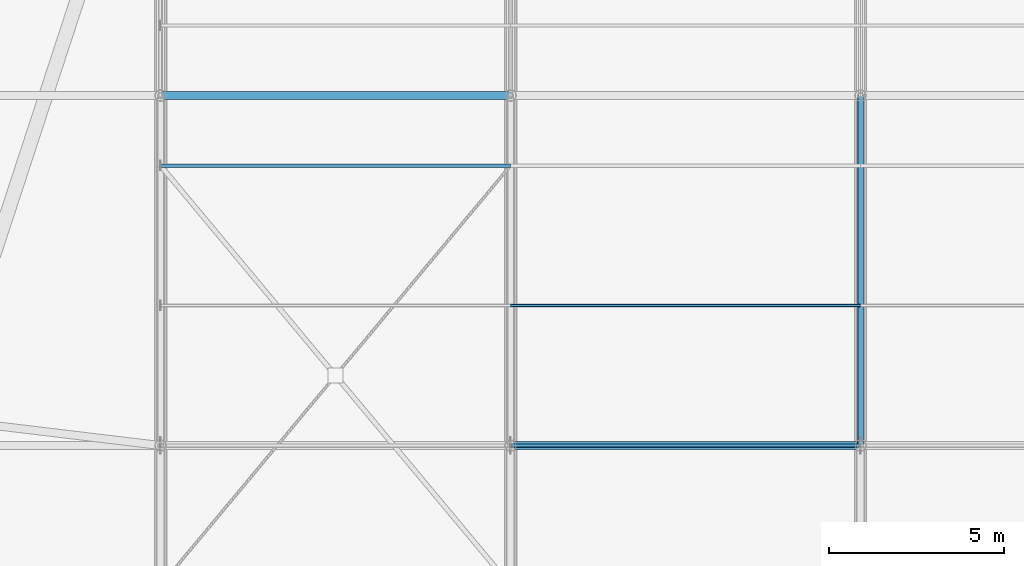
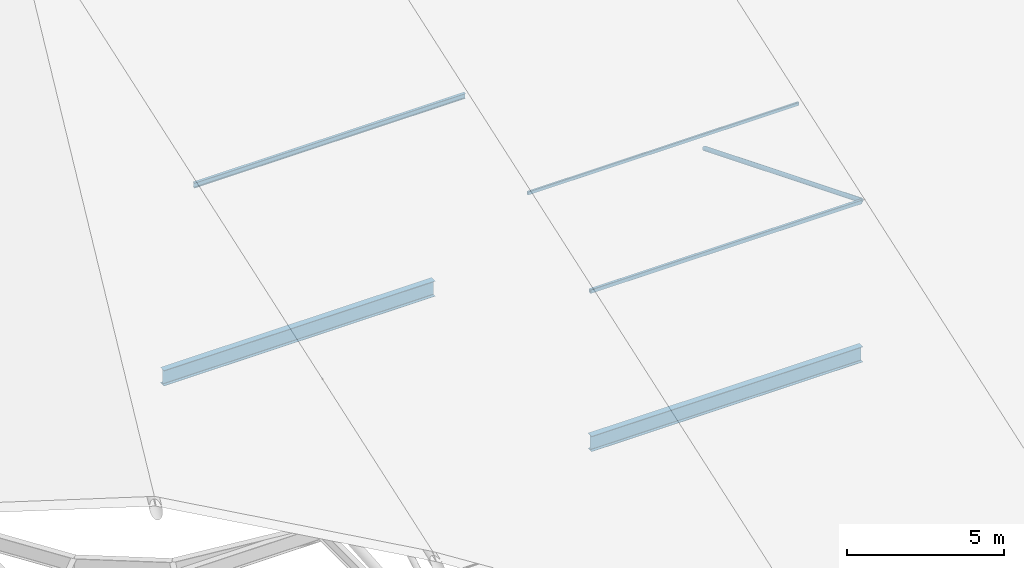
# One storey, part 14 of 93: 4 members, 2 beams.
"""IFC4 building model written with IfcOpenShell, lengths in metres."""

from ifc_helpers import new_model, si_unit, derived_unit, direction, frame, origin, origin_2d_with_axis, place, context, subcontext, project, spatial, hollow_rectangle, hollow_circle, i_section, extrude, material, material_profile, profile_set, type_object, element, save


model = new_model("IFC4")

# Units and contexts
model_context = context("Model", 3, precision=1e-05, world=origin(), true_north=direction((0.0, 1.0)))
body_context = subcontext(model_context, "Body", "Model", "MODEL_VIEW")
ifc_project = project(units=[si_unit("LENGTHUNIT", "METRE"), si_unit("AREAUNIT", "SQUARE_METRE"), si_unit("VOLUMEUNIT", "CUBIC_METRE"), si_unit("PLANEANGLEUNIT", "RADIAN"), si_unit("MASSUNIT", "GRAM", prefix="KILO"), derived_unit("THERMALTRANSMITTANCEUNIT", [(si_unit("POWERUNIT", "WATT"), 1), (si_unit("LENGTHUNIT", "METRE"), -2), (si_unit("THERMODYNAMICTEMPERATUREUNIT", "KELVIN"), -1)])], contexts=[model_context])

# Site, building, storey
site_placement = place(None, origin())
site = spatial("IfcSite", under=ifc_project, at=site_placement, CompositionType="ELEMENT")
building_placement = place(site_placement, origin())
building = spatial("IfcBuilding", under=site, at=building_placement, Name="Cinnabar Yard Market Hall", CompositionType="ELEMENT")
storey_placement = place(building_placement, frame((0.0, 0.0, 23.800048828125)))
storey = spatial("IfcBuildingStorey", under=building, at=storey_placement, Name="ROOF", CompositionType="ELEMENT", Elevation=23.800048828125)

# Beams
ifc_material_1 = material(Name="Steel Grade 300 (300 MPa)", Category="steel")
ifc_material_profile_1 = material_profile(ifc_material_1, i_section(OverallWidth=0.22802734375, OverallDepth=0.60205078125, WebThickness=0.010498046875, FlangeThickness=0.014892578125, FilletRadius=0.013916015625, at=origin_2d_with_axis()), Name="610UB101")
ifc_profile_set_1 = profile_set([ifc_material_profile_1], Name="Steel Grade 300 (300 MPa)")
beam_type = type_object("IfcBeamType", Name="BM-B02", PredefinedType="BEAM", material=ifc_profile_set_1)
for number, where, z_axis, x_axis, name in (
    (1, (96.0, 24.0, -9.700927734375), (1.0, 0.0, 0.0), (0.0, 1.0, 0.0), "Hall Longitudinal Tie Girder 00374"),
    (2, (86.0, 34.0, -9.700927734375), (1.0, 0.0, 0.0), (0.0, 1.0, 0.0), "Hall Longitudinal Tie Girder 00381"),
):
    element("IfcBeam", number, at=place(storey_placement, frame(where, z_axis=z_axis, x_axis=x_axis)), inside=storey, type_object=beam_type, Name=name, PredefinedType="BEAM", context=body_context, shape_type="SweptSolid", body=[
        extrude(i_section(OverallWidth=0.22802734375, OverallDepth=0.60205078125, WebThickness=0.010498046875, FlangeThickness=0.014892578125, FilletRadius=0.013916015625, at=origin_2d_with_axis()), origin(), (0.0, 0.0, 1.0), 10.0),
    ])

# Members
ifc_material_2 = material(Name="Cold-formed steel C350L0", Category="steel")
ifc_material_profile_2 = material_profile(ifc_material_2, hollow_circle(Radius=0.084228515625, WallThickness=0.00634765625, at=origin_2d_with_axis()), Name="168.3x6.4CHS")
ifc_profile_set_2 = profile_set([ifc_material_profile_2], Name="Cold-formed steel C350L0")
member_type_1 = type_object("IfcMemberType", Name="MB-DG02", PredefinedType="BRACE", material=ifc_profile_set_2)
member_1_placement = place(storey_placement, frame((106.0, 24.0, -3.76123046875), z_axis=(0.0, 0.927230348791, -0.374491495607), x_axis=(-1.0, 0.0, 0.0)))
element("IfcMember", 3, at=member_1_placement, inside=storey, type_object=member_type_1, Name="Hall Truss 106 Diagonal 2", PredefinedType="BRACE", context=body_context, shape_type="SweptSolid", body=[
    extrude(hollow_circle(Radius=0.084228515625, WallThickness=0.00634765625, at=origin_2d_with_axis()), origin(), (0.0, 0.0, 1.0), 10.784912109375),
])
ifc_material_profile_3 = material_profile(ifc_material_2, hollow_rectangle(XDim=0.10009765625, YDim=0.14990234375, WallThickness=0.0048828125, InnerFilletRadius=0.0048828125, OuterFilletRadius=0.010009765625, at=origin_2d_with_axis()), Name="150x100x5.0RHS")
ifc_profile_set_3 = profile_set([ifc_material_profile_3], Name="Cold-formed steel C350L0")
member_type_2 = type_object("IfcMemberType", Name="MB-PU03", PredefinedType="PURLIN", material=ifc_profile_set_3)
member_2_placement = place(storey_placement, frame((96.0, 24.0, -3.80126953125), z_axis=(1.0, 0.0, 0.0), x_axis=(0.0, 1.0, 0.0)))
element("IfcMember", 4, at=member_2_placement, inside=storey, type_object=member_type_2, Name="Hall Roof Purlin Y24 X96", PredefinedType="PURLIN", context=body_context, shape_type="SweptSolid", body=[
    extrude(hollow_rectangle(XDim=0.10009765625, YDim=0.14990234375, WallThickness=0.0048828125, InnerFilletRadius=0.0048828125, OuterFilletRadius=0.010009765625, at=origin_2d_with_axis()), origin(), (0.0, 0.0, 1.0), 10.0),
])
ifc_material_profile_4 = material_profile(ifc_material_2, hollow_rectangle(XDim=0.074951171875, YDim=0.125, WallThickness=0.0048828125, InnerFilletRadius=0.0048828125, OuterFilletRadius=0.010009765625, at=origin_2d_with_axis()), Name="125x75x5.0RHS")
ifc_profile_set_4 = profile_set([ifc_material_profile_4], Name="Cold-formed steel C350L0")
member_type_3 = type_object("IfcMemberType", Name="MB-PU04", PredefinedType="PURLIN", material=ifc_profile_set_4)
member_3_placement = place(storey_placement, frame((96.0, 28.0, -2.4091796875), z_axis=(1.0, 0.0, 0.0), x_axis=(0.0, 1.0, 0.0)))
element("IfcMember", 5, at=member_3_placement, inside=storey, type_object=member_type_3, Name="Hall Roof Purlin Y28 X96", PredefinedType="PURLIN", context=body_context, shape_type="SweptSolid", body=[
    extrude(hollow_rectangle(XDim=0.074951171875, YDim=0.125, WallThickness=0.0048828125, InnerFilletRadius=0.0048828125, OuterFilletRadius=0.010009765625, at=origin_2d_with_axis()), origin(), (0.0, 0.0, 1.0), 10.0),
])
ifc_material_profile_5 = material_profile(ifc_material_1, i_section(OverallWidth=0.09912109375, OverallDepth=0.197998046875, WebThickness=0.00439453125, FlangeThickness=0.007080078125, FilletRadius=0.0087890625, at=origin_2d_with_axis()), Name="200UB18.2")
ifc_profile_set_5 = profile_set([ifc_material_profile_5], Name="Steel Grade 300 (300 MPa)")
member_type_4 = type_object("IfcMemberType", Name="MB-PU05", PredefinedType="PURLIN", material=ifc_profile_set_5)
member_4_placement = place(storey_placement, frame((86.0, 32.0, -1.016845703125), z_axis=(1.0, 0.0, 0.0), x_axis=(0.0, 1.0, 0.0)))
element("IfcMember", 6, at=member_4_placement, inside=storey, type_object=member_type_4, Name="Hall Roof Purlin Y32 X86", PredefinedType="PURLIN", context=body_context, shape_type="SweptSolid", body=[
    extrude(i_section(OverallWidth=0.09912109375, OverallDepth=0.197998046875, WebThickness=0.00439453125, FlangeThickness=0.007080078125, FilletRadius=0.0087890625, at=origin_2d_with_axis()), origin(), (0.0, 0.0, 1.0), 10.0),
])

save(model, "model.ifc")
